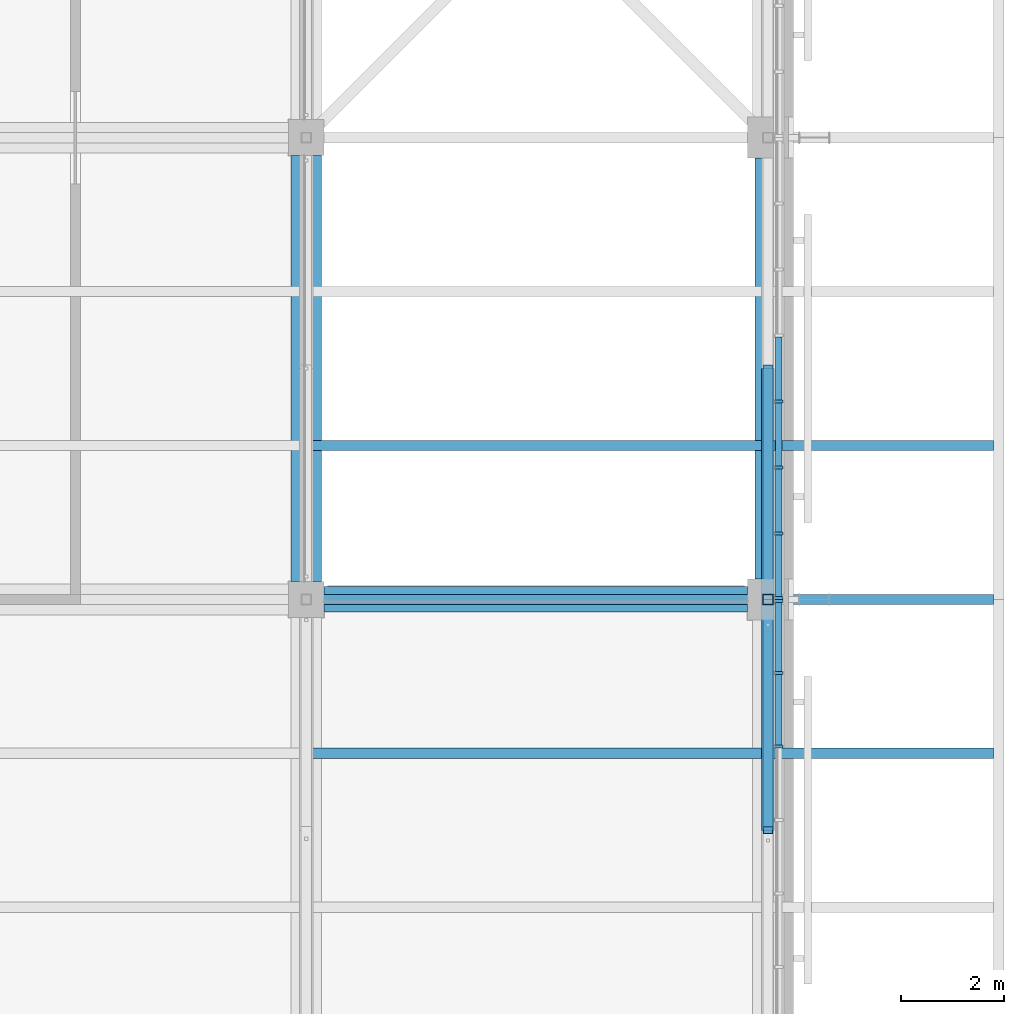
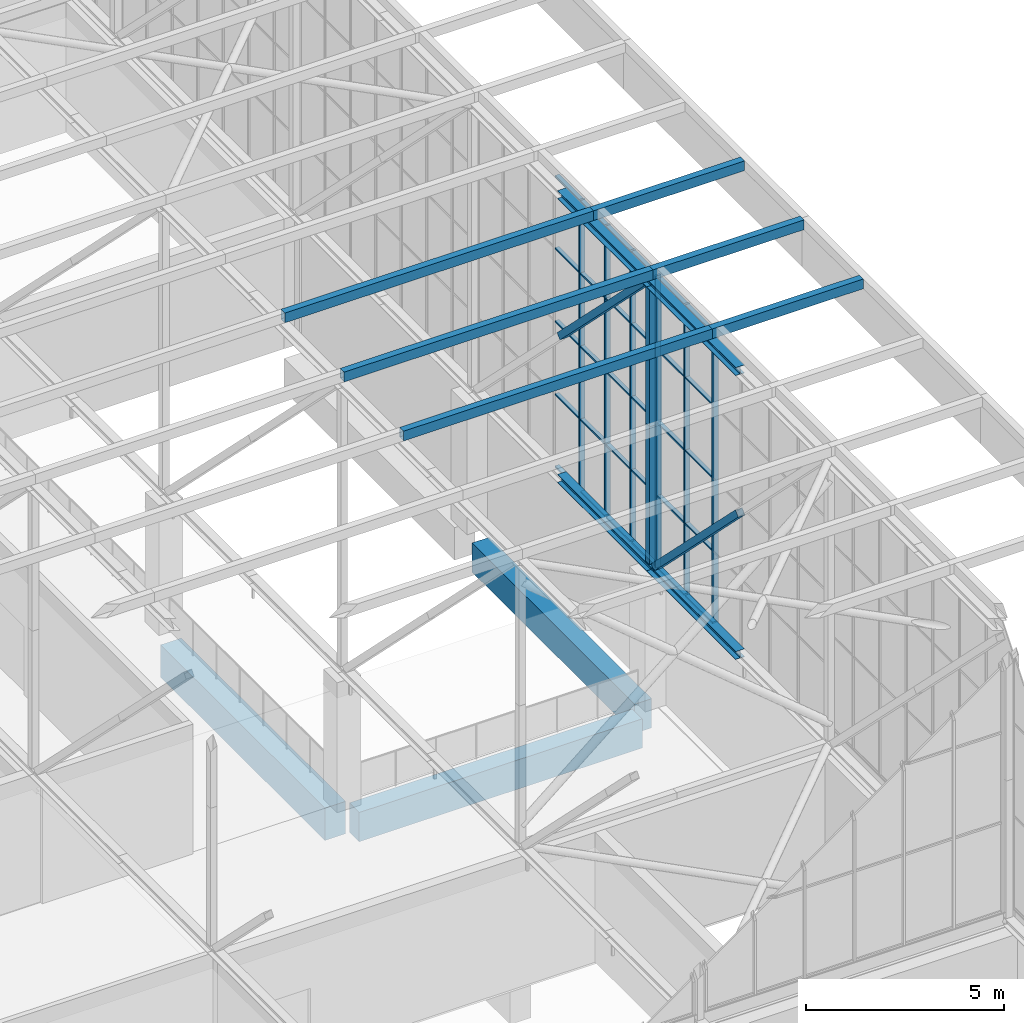
# One storey, part 89 of 646: 51 members, 3 beams, 2 elements without a shape of their own.
"""IFC4 building model written with IfcOpenShell, lengths in metres."""

from ifc_helpers import new_model, si_unit, direction, frame, origin, origin_2d, place, context, subcontext, project, spatial, rectangle, hollow_rectangle, i_section, extrude, material, material_profile, profile_set, type_object, element, aggregate, save


model = new_model("IFC4")

# Units and contexts
model_context = context("Model", 3, precision=1e-05, world=origin(), true_north=direction((0.0, 1.0)))
body_context = subcontext(model_context, "Body", "Model", "MODEL_VIEW")
ifc_project = project(units=[si_unit("LENGTHUNIT", "METRE"), si_unit("AREAUNIT", "SQUARE_METRE"), si_unit("VOLUMEUNIT", "CUBIC_METRE"), si_unit("PLANEANGLEUNIT", "RADIAN"), si_unit("MASSUNIT", "GRAM", prefix="KILO")], contexts=[model_context])

# Site, building, storey
site_placement = place(None, origin())
site = spatial("IfcSite", under=ifc_project, at=site_placement, CompositionType="ELEMENT")
building_placement = place(site_placement, origin())
building = spatial("IfcBuilding", under=site, at=building_placement, Name="Silverbay Arena", CompositionType="ELEMENT")
storey_placement = place(building_placement, frame((0.0, 0.0, 33.5)))
storey = spatial("IfcBuildingStorey", under=building, at=storey_placement, Name="L05", CompositionType="ELEMENT", Elevation=33.5)

# Curtain wall, members
ifc_material_1 = material(Name="Aluminium framed glazing", Category="aluminium")
curtain_wall_type_1 = type_object("IfcCurtainWallType", Name="Curtain wall clerestory 8600 x 9000", PredefinedType="NOTDEFINED", material=ifc_material_1)
curtain_wall_1_placement = place(storey_placement, origin())
curtain_wall_1 = element("IfcCurtainWall", 1, at=curtain_wall_1_placement, inside=storey, type_object=curtain_wall_type_1, Name="ROOF GABLE CLERESTORY CURTAIN WALL east bay 03", PredefinedType="NOTDEFINED")
ifc_material_2 = material(Name="Aluminium", Category="aluminium")
ifc_material_profile_1 = material_profile(ifc_material_2, rectangle(XDim=0.159912109375, YDim=0.06005859375, at=origin_2d()), Name="Mullion 60 x 160")
ifc_profile_set_1 = profile_set([ifc_material_profile_1], Name="Aluminium")
member_type_1 = type_object("IfcMemberType", Name="Mullion 60 x 160", PredefinedType="MULLION", material=ifc_profile_set_1)
member_1_placement = place(storey_placement, frame((207.2099609375, 33.13330078125, 4.0), z_axis=(0.0, 0.0, 1.0), x_axis=(-1.0, 0.0, 0.0)))
member_1 = element("IfcMember", 2, at=member_1_placement, type_object=member_type_1, Name="CW59 mullion 5", PredefinedType="MULLION", context=body_context, shape_type="SweptSolid", body=[
    extrude(rectangle(XDim=0.159912109375, YDim=0.06005859375, at=origin_2d()), origin(), (0.0, 0.0, 1.0), 9.0),
])
member_2_placement = place(storey_placement, frame((207.2099609375, 34.566650390625, 4.0), z_axis=(0.0, 0.0, 1.0), x_axis=(-1.0, 0.0, 0.0)))
member_2 = element("IfcMember", 3, at=member_2_placement, type_object=member_type_1, Name="CW59 mullion 6", PredefinedType="MULLION", context=body_context, shape_type="SweptSolid", body=[
    extrude(rectangle(XDim=0.159912109375, YDim=0.06005859375, at=origin_2d()), origin(), (0.0, 0.0, 1.0), 9.0),
])
member_3_placement = place(storey_placement, frame((207.2099609375, 35.969970703125, 4.0), z_axis=(0.0, 0.0, 1.0), x_axis=(-1.0, 0.0, 0.0)))
member_3 = element("IfcMember", 4, at=member_3_placement, type_object=member_type_1, Name="CW59 mullion 7", PredefinedType="MULLION", context=body_context, shape_type="SweptSolid", body=[
    extrude(rectangle(XDim=0.159912109375, YDim=0.06005859375, at=origin_2d()), origin(), (0.0, 0.0, 1.0), 9.0),
])

ifc_material_3 = material(Name="Aluminium framed glazing", Category="aluminium")
curtain_wall_type_2 = type_object("IfcCurtainWallType", Name="Curtain wall clerestory 9000 x 9000", PredefinedType="NOTDEFINED", material=ifc_material_3)
curtain_wall_2_placement = place(storey_placement, origin())
curtain_wall_2 = element("IfcCurtainWall", 5, at=curtain_wall_2_placement, inside=storey, type_object=curtain_wall_type_2, Name="ROOF GABLE CLERESTORY CURTAIN WALL east bay 04", PredefinedType="NOTDEFINED")
member_4_placement = place(storey_placement, frame((207.2099609375, 36.030029296875, 4.0), z_axis=(0.0, 0.0, 1.0), x_axis=(-1.0, 0.0, 0.0)))
member_4 = element("IfcMember", 6, at=member_4_placement, type_object=member_type_1, Name="CW60 mullion 1", PredefinedType="MULLION", context=body_context, shape_type="SweptSolid", body=[
    extrude(rectangle(XDim=0.159912109375, YDim=0.06005859375, at=origin_2d()), origin(), (0.0, 0.0, 1.0), 9.0),
])
member_5_placement = place(storey_placement, frame((207.2099609375, 37.28564453125, 4.0), z_axis=(0.0, 0.0, 1.0), x_axis=(-1.0, 0.0, 0.0)))
member_5 = element("IfcMember", 7, at=member_5_placement, type_object=member_type_1, Name="CW60 mullion 2", PredefinedType="MULLION", context=body_context, shape_type="SweptSolid", body=[
    extrude(rectangle(XDim=0.159912109375, YDim=0.06005859375, at=origin_2d()), origin(), (0.0, 0.0, 1.0), 9.0),
])
member_6_placement = place(storey_placement, frame((207.2099609375, 38.571533203125, 4.0), z_axis=(0.0, 0.0, 1.0), x_axis=(-1.0, 0.0, 0.0)))
member_6 = element("IfcMember", 8, at=member_6_placement, type_object=member_type_1, Name="CW60 mullion 3", PredefinedType="MULLION", context=body_context, shape_type="SweptSolid", body=[
    extrude(rectangle(XDim=0.159912109375, YDim=0.06005859375, at=origin_2d()), origin(), (0.0, 0.0, 1.0), 9.0),
])
member_7_placement = place(storey_placement, frame((207.2099609375, 39.857177734375, 4.0), z_axis=(0.0, 0.0, 1.0), x_axis=(-1.0, 0.0, 0.0)))
member_7 = element("IfcMember", 9, at=member_7_placement, type_object=member_type_1, Name="CW60 mullion 4", PredefinedType="MULLION", context=body_context, shape_type="SweptSolid", body=[
    extrude(rectangle(XDim=0.159912109375, YDim=0.06005859375, at=origin_2d()), origin(), (0.0, 0.0, 1.0), 9.0),
])

# Members
ifc_material_4 = material(Name="Steel S355", Category="steel")
ifc_material_profile_2 = material_profile(ifc_material_4, hollow_rectangle(XDim=0.199951171875, YDim=0.300048828125, WallThickness=0.008056640625, at=origin_2d()), Name="RHS 300x200x8")
ifc_profile_set_2 = profile_set([ifc_material_profile_2], Name="Steel S355")
member_type_2 = type_object("IfcMemberType", Name="Purlin RHS 300x200x8", PredefinedType="PURLIN", material=ifc_profile_set_2)
for number, where, z_axis, x_axis, name in (
    (10, (198.0, 33.0, 13.14990234375), (1.0, 0.0, 0.0), (0.0, 1.0, 0.0), "ROOF PURLIN 23-24 line 09"),
    (11, (198.0, 36.0, 13.14990234375), (1.0, 0.0, 0.0), (0.0, 1.0, 0.0), "ROOF PURLIN 23-24 line 10"),
    (12, (198.0, 39.0, 13.14990234375), (1.0, 0.0, 0.0), (0.0, 1.0, 0.0), "ROOF PURLIN 23-24 line 11"),
):
    element("IfcMember", number, at=place(storey_placement, frame(where, z_axis=z_axis, x_axis=x_axis)), inside=storey, type_object=member_type_2, Name=name, PredefinedType="PURLIN", context=body_context, shape_type="SweptSolid", body=[
        extrude(hollow_rectangle(XDim=0.199951171875, YDim=0.300048828125, WallThickness=0.008056640625, at=origin_2d()), origin(), (0.0, 0.0, 1.0), 9.0),
    ])
for number, where, z_axis, x_axis, name in (
    (13, (211.39990234375, 33.0, 13.14990234375), (-1.0, 0.0, 0.0), (0.0, -1.0, 0.0), "ROOF PURLIN east eave line 09"),
    (14, (211.39990234375, 36.0, 13.14990234375), (-1.0, 0.0, 0.0), (0.0, -1.0, 0.0), "ROOF PURLIN east eave line 10"),
    (15, (211.39990234375, 39.0, 13.14990234375), (-1.0, 0.0, 0.0), (0.0, -1.0, 0.0), "ROOF PURLIN east eave line 11"),
):
    element("IfcMember", number, at=place(storey_placement, frame(where, z_axis=z_axis, x_axis=x_axis)), inside=storey, type_object=member_type_2, Name=name, PredefinedType="PURLIN", context=body_context, shape_type="SweptSolid", body=[
        extrude(hollow_rectangle(XDim=0.199951171875, YDim=0.300048828125, WallThickness=0.008056640625, at=origin_2d()), origin(), (0.0, 0.0, 1.0), 4.39990234375),
    ])

# Beams
ifc_material_5 = material(Name="Concrete Grade C45", Category="concrete")
ifc_material_profile_3 = material_profile(ifc_material_5, rectangle(XDim=0.5, YDim=0.89990234375, at=origin_2d()), Name="RC 500x900")
ifc_profile_set_3 = profile_set([ifc_material_profile_3], Name="Concrete Grade C45")
beam_type_1 = type_object("IfcBeamType", Name="RC beam 500x900", PredefinedType="BEAM", material=ifc_profile_set_3)
beam_1_placement = place(storey_placement, frame((198.35009765625, 36.0, -0.75), z_axis=(1.0, 0.0, 0.0), x_axis=(0.0, 1.0, 0.0)))
element("IfcBeam", 16, at=beam_1_placement, inside=storey, type_object=beam_type_1, Name="Floor beam L05 014", PredefinedType="BEAM", context=body_context, shape_type="SweptSolid", body=[
    extrude(rectangle(XDim=0.5, YDim=0.89990234375, at=origin_2d()), origin(), (0.0, 0.0, 1.0), 8.25),
])
beam_2_placement = place(storey_placement, frame((207.0, 36.39990234375, -0.75), z_axis=(0.0, 1.0, 0.0), x_axis=(-1.0, 0.0, 0.0)))
element("IfcBeam", 17, at=beam_2_placement, inside=storey, type_object=beam_type_1, Name="Floor beam L05 148", PredefinedType="BEAM", context=body_context, shape_type="SweptSolid", body=[
    extrude(rectangle(XDim=0.5, YDim=0.89990234375, at=origin_2d()), origin(), (0.0, 0.0, 1.0), 8.2001953125),
])
ifc_material_6 = material(Name="Concrete Grade C45", Category="concrete")
ifc_material_profile_4 = material_profile(ifc_material_6, rectangle(XDim=0.60009765625, YDim=1.0, at=origin_2d()), Name="RC 600x1000")
ifc_profile_set_4 = profile_set([ifc_material_profile_4], Name="Concrete Grade C45")
beam_type_2 = type_object("IfcBeamType", Name="RC beam 600x1000", PredefinedType="BEAM", material=ifc_profile_set_4)
beam_3_placement = place(storey_placement, frame((198.0, 36.35009765625, -0.800048828125), z_axis=(0.0, 1.0, 0.0), x_axis=(-1.0, 0.0, 0.0)))
element("IfcBeam", 18, at=beam_3_placement, inside=storey, type_object=beam_type_2, Name="Floor beam L05 140", PredefinedType="BEAM", context=body_context, shape_type="SweptSolid", body=[
    extrude(rectangle(XDim=0.60009765625, YDim=1.0, at=origin_2d()), origin(), (0.0, 0.0, 1.0), 8.2998046875),
])

# Members
ifc_material_7 = material(Name="Steel S355", Category="steel")
ifc_material_profile_5 = material_profile(ifc_material_7, i_section(OverallWidth=0.254638671875, OverallDepth=0.254150390625, WebThickness=0.008544921875, FlangeThickness=0.01416015625, at=origin_2d()), Name="UC 254x254x73")
ifc_profile_set_5 = profile_set([ifc_material_profile_5], Name="Steel S355")
member_type_3 = type_object("IfcMemberType", Name="Short-span bottom chord UC 254x254x73", PredefinedType="CHORD", material=ifc_profile_set_5)
for number, where, z_axis, x_axis, name in (
    (19, (207.0, 31.5, 4.126953125), (0.0, 1.0, 0.0), (-1.0, 0.0, 0.0), "ROOF TRUSS 24 bottom chord 03b"),
    (20, (207.0, 36.0, 4.126953125), (0.0, 1.0, 0.0), (-1.0, 0.0, 0.0), "ROOF TRUSS 24 bottom chord 04a"),
):
    element("IfcMember", number, at=place(storey_placement, frame(where, z_axis=z_axis, x_axis=x_axis)), inside=storey, type_object=member_type_3, Name=name, PredefinedType="CHORD", context=body_context, shape_type="SweptSolid", body=[
        extrude(i_section(OverallWidth=0.254638671875, OverallDepth=0.254150390625, WebThickness=0.008544921875, FlangeThickness=0.01416015625, at=origin_2d()), origin(), (0.0, 0.0, 1.0), 4.5),
    ])
ifc_material_8 = material(Name="Steel S355", Category="steel")
ifc_material_profile_6 = material_profile(ifc_material_8, i_section(OverallWidth=0.254638671875, OverallDepth=0.254150390625, WebThickness=0.008544921875, FlangeThickness=0.01416015625, at=origin_2d()), Name="UC 254x254x73")
ifc_profile_set_6 = profile_set([ifc_material_profile_6], Name="Steel S355")
member_type_4 = type_object("IfcMemberType", Name="Short-span top chord UC 254x254x73", PredefinedType="CHORD", material=ifc_profile_set_6)
for number, where, z_axis, x_axis, name in (
    (21, (207.0, 31.5, 12.873046875), (0.0, 1.0, 0.0), (-1.0, 0.0, 0.0), "ROOF TRUSS 24 top chord 03b"),
    (22, (207.0, 36.0, 12.873046875), (0.0, 1.0, 0.0), (-1.0, 0.0, 0.0), "ROOF TRUSS 24 top chord 04a"),
):
    element("IfcMember", number, at=place(storey_placement, frame(where, z_axis=z_axis, x_axis=x_axis)), inside=storey, type_object=member_type_4, Name=name, PredefinedType="CHORD", context=body_context, shape_type="SweptSolid", body=[
        extrude(i_section(OverallWidth=0.254638671875, OverallDepth=0.254150390625, WebThickness=0.008544921875, FlangeThickness=0.01416015625, at=origin_2d()), origin(), (0.0, 0.0, 1.0), 4.5),
    ])
ifc_material_9 = material(Name="Steel S355", Category="steel")
ifc_material_profile_7 = material_profile(ifc_material_9, hollow_rectangle(XDim=0.199951171875, YDim=0.199951171875, WallThickness=0.008056640625, at=origin_2d()), Name="SHS 200x200x8")
ifc_profile_set_7 = profile_set([ifc_material_profile_7], Name="Steel S355")
member_type_5 = type_object("IfcMemberType", Name="Short-span truss diagonal SHS 200x200x8", PredefinedType="BRACE", material=ifc_profile_set_7)
for number, where, z_axis, x_axis, name in (
    (23, (207.0, 31.5, 8.5), (0.0, 0.70781724692, -0.706395600894), (-1.0, 0.0, 0.0), "ROOF TRUSS 24 diagonal 03b"),
    (24, (207.0, 36.24560546875, 12.745849609375), (0.0, 0.70781724692, -0.706395600894), (-1.0, 0.0, 0.0), "ROOF TRUSS 24 diagonal 04a"),
):
    element("IfcMember", number, at=place(storey_placement, frame(where, z_axis=z_axis, x_axis=x_axis)), inside=storey, type_object=member_type_5, Name=name, PredefinedType="BRACE", context=body_context, shape_type="SweptSolid", body=[
        extrude(hollow_rectangle(XDim=0.199951171875, YDim=0.199951171875, WallThickness=0.008056640625, at=origin_2d()), origin(), (0.0, 0.0, 1.0), 6.010498046875),
    ])
ifc_material_10 = material(Name="Steel S355", Category="steel")
ifc_material_profile_8 = material_profile(ifc_material_10, hollow_rectangle(XDim=0.199951171875, YDim=0.199951171875, WallThickness=0.008056640625, at=origin_2d()), Name="SHS 200x200x8")
ifc_profile_set_8 = profile_set([ifc_material_profile_8], Name="Steel S355")
member_type_6 = type_object("IfcMemberType", Name="Short-span truss vertical SHS 200x200x8", PredefinedType="STRUT", material=ifc_profile_set_8)
for number, where, z_axis, x_axis, name in (
    (25, (207.0, 36.0, 4.254150390625), (0.0, 0.0, 1.0), (1.0, 0.0, 0.0), "ROOF TRUSS 24 vertical 04a"),
    (26, (207.0, 36.0, 8.5), (0.0, 0.0, 1.0), (1.0, 0.0, 0.0), "ROOF TRUSS 24 vertical 04b"),
):
    element("IfcMember", number, at=place(storey_placement, frame(where, z_axis=z_axis, x_axis=x_axis)), inside=storey, type_object=member_type_6, Name=name, PredefinedType="STRUT", context=body_context, shape_type="SweptSolid", body=[
        extrude(hollow_rectangle(XDim=0.199951171875, YDim=0.199951171875, WallThickness=0.008056640625, at=origin_2d()), origin(), (0.0, 0.0, 1.0), 4.245849609375),
    ])

# Member
ifc_material_11 = material(Name="Aluminium", Category="aluminium")
ifc_material_profile_9 = material_profile(ifc_material_11, rectangle(XDim=0.1201171875, YDim=0.050048828125, at=origin_2d()), Name="Transom 50 x 120")
ifc_profile_set_9 = profile_set([ifc_material_profile_9], Name="Aluminium")
member_type_7 = type_object("IfcMemberType", Name="Transom 50 x 120", PredefinedType="USERDEFINED", material=ifc_profile_set_9)
member_8_placement = place(storey_placement, frame((207.2099609375, 33.163330078125, 4.02490234375), z_axis=(0.0, 1.0, 0.0), x_axis=(-1.0, 0.0, 0.0)))
member_8 = element("IfcMember", 27, at=member_8_placement, type_object=member_type_7, Name="CW59 transom 5.1", ObjectType="TRANSOM", PredefinedType="USERDEFINED", context=body_context, shape_type="SweptSolid", body=[
    extrude(rectangle(XDim=0.1201171875, YDim=0.050048828125, at=origin_2d()), origin(), (0.0, 0.0, 1.0), 1.373291015625),
])

member_9_placement = place(storey_placement, frame((207.2099609375, 33.163330078125, 6.25), z_axis=(0.0, 1.0, 0.0), x_axis=(-1.0, 0.0, 0.0)))
member_9 = element("IfcMember", 28, at=member_9_placement, type_object=member_type_7, Name="CW59 transom 5.2", ObjectType="TRANSOM", PredefinedType="USERDEFINED", context=body_context, shape_type="SweptSolid", body=[
    extrude(rectangle(XDim=0.1201171875, YDim=0.050048828125, at=origin_2d()), origin(), (0.0, 0.0, 1.0), 1.373291015625),
])

member_10_placement = place(storey_placement, frame((207.2099609375, 33.163330078125, 8.5), z_axis=(0.0, 1.0, 0.0), x_axis=(-1.0, 0.0, 0.0)))
member_10 = element("IfcMember", 29, at=member_10_placement, type_object=member_type_7, Name="CW59 transom 5.3", ObjectType="TRANSOM", PredefinedType="USERDEFINED", context=body_context, shape_type="SweptSolid", body=[
    extrude(rectangle(XDim=0.1201171875, YDim=0.050048828125, at=origin_2d()), origin(), (0.0, 0.0, 1.0), 1.373291015625),
])

member_11_placement = place(storey_placement, frame((207.2099609375, 33.163330078125, 10.75), z_axis=(0.0, 1.0, 0.0), x_axis=(-1.0, 0.0, 0.0)))
member_11 = element("IfcMember", 30, at=member_11_placement, type_object=member_type_7, Name="CW59 transom 5.4", ObjectType="TRANSOM", PredefinedType="USERDEFINED", context=body_context, shape_type="SweptSolid", body=[
    extrude(rectangle(XDim=0.1201171875, YDim=0.050048828125, at=origin_2d()), origin(), (0.0, 0.0, 1.0), 1.373291015625),
])

member_12_placement = place(storey_placement, frame((207.2099609375, 33.163330078125, 12.97509765625), z_axis=(0.0, 1.0, 0.0), x_axis=(-1.0, 0.0, 0.0)))
member_12 = element("IfcMember", 31, at=member_12_placement, type_object=member_type_7, Name="CW59 transom 5.5", ObjectType="TRANSOM", PredefinedType="USERDEFINED", context=body_context, shape_type="SweptSolid", body=[
    extrude(rectangle(XDim=0.1201171875, YDim=0.050048828125, at=origin_2d()), origin(), (0.0, 0.0, 1.0), 1.373291015625),
])

member_13_placement = place(storey_placement, frame((207.2099609375, 34.5966796875, 4.02490234375), z_axis=(0.0, 1.0, 0.0), x_axis=(-1.0, 0.0, 0.0)))
member_13 = element("IfcMember", 32, at=member_13_placement, type_object=member_type_7, Name="CW59 transom 6.1", ObjectType="TRANSOM", PredefinedType="USERDEFINED", context=body_context, shape_type="SweptSolid", body=[
    extrude(rectangle(XDim=0.1201171875, YDim=0.050048828125, at=origin_2d()), origin(), (0.0, 0.0, 1.0), 1.34326171875),
])

member_14_placement = place(storey_placement, frame((207.2099609375, 34.5966796875, 6.25), z_axis=(0.0, 1.0, 0.0), x_axis=(-1.0, 0.0, 0.0)))
member_14 = element("IfcMember", 33, at=member_14_placement, type_object=member_type_7, Name="CW59 transom 6.2", ObjectType="TRANSOM", PredefinedType="USERDEFINED", context=body_context, shape_type="SweptSolid", body=[
    extrude(rectangle(XDim=0.1201171875, YDim=0.050048828125, at=origin_2d()), origin(), (0.0, 0.0, 1.0), 1.34326171875),
])

member_15_placement = place(storey_placement, frame((207.2099609375, 34.5966796875, 8.5), z_axis=(0.0, 1.0, 0.0), x_axis=(-1.0, 0.0, 0.0)))
member_15 = element("IfcMember", 34, at=member_15_placement, type_object=member_type_7, Name="CW59 transom 6.3", ObjectType="TRANSOM", PredefinedType="USERDEFINED", context=body_context, shape_type="SweptSolid", body=[
    extrude(rectangle(XDim=0.1201171875, YDim=0.050048828125, at=origin_2d()), origin(), (0.0, 0.0, 1.0), 1.34326171875),
])

member_16_placement = place(storey_placement, frame((207.2099609375, 34.5966796875, 10.75), z_axis=(0.0, 1.0, 0.0), x_axis=(-1.0, 0.0, 0.0)))
member_16 = element("IfcMember", 35, at=member_16_placement, type_object=member_type_7, Name="CW59 transom 6.4", ObjectType="TRANSOM", PredefinedType="USERDEFINED", context=body_context, shape_type="SweptSolid", body=[
    extrude(rectangle(XDim=0.1201171875, YDim=0.050048828125, at=origin_2d()), origin(), (0.0, 0.0, 1.0), 1.34326171875),
])

member_17_placement = place(storey_placement, frame((207.2099609375, 34.5966796875, 12.97509765625), z_axis=(0.0, 1.0, 0.0), x_axis=(-1.0, 0.0, 0.0)))
member_17 = element("IfcMember", 36, at=member_17_placement, type_object=member_type_7, Name="CW59 transom 6.5", ObjectType="TRANSOM", PredefinedType="USERDEFINED", context=body_context, shape_type="SweptSolid", body=[
    extrude(rectangle(XDim=0.1201171875, YDim=0.050048828125, at=origin_2d()), origin(), (0.0, 0.0, 1.0), 1.34326171875),
])

aggregate(curtain_wall_1, [member_1, member_2, member_3, member_8, member_9, member_10, member_11, member_12, member_13, member_14, member_15, member_16, member_17])

member_18_placement = place(storey_placement, frame((207.2099609375, 36.06005859375, 4.02490234375), z_axis=(0.0, 1.0, 0.0), x_axis=(-1.0, 0.0, 0.0)))
member_18 = element("IfcMember", 37, at=member_18_placement, type_object=member_type_7, Name="CW60 transom 1.1", ObjectType="TRANSOM", PredefinedType="USERDEFINED", context=body_context, shape_type="SweptSolid", body=[
    extrude(rectangle(XDim=0.1201171875, YDim=0.050048828125, at=origin_2d()), origin(), (0.0, 0.0, 1.0), 1.195556640625),
])

member_19_placement = place(storey_placement, frame((207.2099609375, 36.06005859375, 6.25), z_axis=(0.0, 1.0, 0.0), x_axis=(-1.0, 0.0, 0.0)))
member_19 = element("IfcMember", 38, at=member_19_placement, type_object=member_type_7, Name="CW60 transom 1.2", ObjectType="TRANSOM", PredefinedType="USERDEFINED", context=body_context, shape_type="SweptSolid", body=[
    extrude(rectangle(XDim=0.1201171875, YDim=0.050048828125, at=origin_2d()), origin(), (0.0, 0.0, 1.0), 1.195556640625),
])

member_20_placement = place(storey_placement, frame((207.2099609375, 36.06005859375, 8.5), z_axis=(0.0, 1.0, 0.0), x_axis=(-1.0, 0.0, 0.0)))
member_20 = element("IfcMember", 39, at=member_20_placement, type_object=member_type_7, Name="CW60 transom 1.3", ObjectType="TRANSOM", PredefinedType="USERDEFINED", context=body_context, shape_type="SweptSolid", body=[
    extrude(rectangle(XDim=0.1201171875, YDim=0.050048828125, at=origin_2d()), origin(), (0.0, 0.0, 1.0), 1.195556640625),
])

member_21_placement = place(storey_placement, frame((207.2099609375, 36.06005859375, 10.75), z_axis=(0.0, 1.0, 0.0), x_axis=(-1.0, 0.0, 0.0)))
member_21 = element("IfcMember", 40, at=member_21_placement, type_object=member_type_7, Name="CW60 transom 1.4", ObjectType="TRANSOM", PredefinedType="USERDEFINED", context=body_context, shape_type="SweptSolid", body=[
    extrude(rectangle(XDim=0.1201171875, YDim=0.050048828125, at=origin_2d()), origin(), (0.0, 0.0, 1.0), 1.195556640625),
])

member_22_placement = place(storey_placement, frame((207.2099609375, 36.06005859375, 12.97509765625), z_axis=(0.0, 1.0, 0.0), x_axis=(-1.0, 0.0, 0.0)))
member_22 = element("IfcMember", 41, at=member_22_placement, type_object=member_type_7, Name="CW60 transom 1.5", ObjectType="TRANSOM", PredefinedType="USERDEFINED", context=body_context, shape_type="SweptSolid", body=[
    extrude(rectangle(XDim=0.1201171875, YDim=0.050048828125, at=origin_2d()), origin(), (0.0, 0.0, 1.0), 1.195556640625),
])

member_23_placement = place(storey_placement, frame((207.2099609375, 37.315673828125, 4.02490234375), z_axis=(0.0, 1.0, 0.0), x_axis=(-1.0, 0.0, 0.0)))
member_23 = element("IfcMember", 42, at=member_23_placement, type_object=member_type_7, Name="CW60 transom 2.1", ObjectType="TRANSOM", PredefinedType="USERDEFINED", context=body_context, shape_type="SweptSolid", body=[
    extrude(rectangle(XDim=0.1201171875, YDim=0.050048828125, at=origin_2d()), origin(), (0.0, 0.0, 1.0), 1.225830078125),
])

member_24_placement = place(storey_placement, frame((207.2099609375, 37.315673828125, 6.25), z_axis=(0.0, 1.0, 0.0), x_axis=(-1.0, 0.0, 0.0)))
member_24 = element("IfcMember", 43, at=member_24_placement, type_object=member_type_7, Name="CW60 transom 2.2", ObjectType="TRANSOM", PredefinedType="USERDEFINED", context=body_context, shape_type="SweptSolid", body=[
    extrude(rectangle(XDim=0.1201171875, YDim=0.050048828125, at=origin_2d()), origin(), (0.0, 0.0, 1.0), 1.225830078125),
])

member_25_placement = place(storey_placement, frame((207.2099609375, 37.315673828125, 8.5), z_axis=(0.0, 1.0, 0.0), x_axis=(-1.0, 0.0, 0.0)))
member_25 = element("IfcMember", 44, at=member_25_placement, type_object=member_type_7, Name="CW60 transom 2.3", ObjectType="TRANSOM", PredefinedType="USERDEFINED", context=body_context, shape_type="SweptSolid", body=[
    extrude(rectangle(XDim=0.1201171875, YDim=0.050048828125, at=origin_2d()), origin(), (0.0, 0.0, 1.0), 1.225830078125),
])

member_26_placement = place(storey_placement, frame((207.2099609375, 37.315673828125, 10.75), z_axis=(0.0, 1.0, 0.0), x_axis=(-1.0, 0.0, 0.0)))
member_26 = element("IfcMember", 45, at=member_26_placement, type_object=member_type_7, Name="CW60 transom 2.4", ObjectType="TRANSOM", PredefinedType="USERDEFINED", context=body_context, shape_type="SweptSolid", body=[
    extrude(rectangle(XDim=0.1201171875, YDim=0.050048828125, at=origin_2d()), origin(), (0.0, 0.0, 1.0), 1.225830078125),
])

member_27_placement = place(storey_placement, frame((207.2099609375, 37.315673828125, 12.97509765625), z_axis=(0.0, 1.0, 0.0), x_axis=(-1.0, 0.0, 0.0)))
member_27 = element("IfcMember", 46, at=member_27_placement, type_object=member_type_7, Name="CW60 transom 2.5", ObjectType="TRANSOM", PredefinedType="USERDEFINED", context=body_context, shape_type="SweptSolid", body=[
    extrude(rectangle(XDim=0.1201171875, YDim=0.050048828125, at=origin_2d()), origin(), (0.0, 0.0, 1.0), 1.225830078125),
])

member_28_placement = place(storey_placement, frame((207.2099609375, 38.601318359375, 4.02490234375), z_axis=(0.0, 1.0, 0.0), x_axis=(-1.0, 0.0, 0.0)))
member_28 = element("IfcMember", 47, at=member_28_placement, type_object=member_type_7, Name="CW60 transom 3.1", ObjectType="TRANSOM", PredefinedType="USERDEFINED", context=body_context, shape_type="SweptSolid", body=[
    extrude(rectangle(XDim=0.1201171875, YDim=0.050048828125, at=origin_2d()), origin(), (0.0, 0.0, 1.0), 1.225830078125),
])

member_29_placement = place(storey_placement, frame((207.2099609375, 38.601318359375, 6.25), z_axis=(0.0, 1.0, 0.0), x_axis=(-1.0, 0.0, 0.0)))
member_29 = element("IfcMember", 48, at=member_29_placement, type_object=member_type_7, Name="CW60 transom 3.2", ObjectType="TRANSOM", PredefinedType="USERDEFINED", context=body_context, shape_type="SweptSolid", body=[
    extrude(rectangle(XDim=0.1201171875, YDim=0.050048828125, at=origin_2d()), origin(), (0.0, 0.0, 1.0), 1.225830078125),
])

member_30_placement = place(storey_placement, frame((207.2099609375, 38.601318359375, 8.5), z_axis=(0.0, 1.0, 0.0), x_axis=(-1.0, 0.0, 0.0)))
member_30 = element("IfcMember", 49, at=member_30_placement, type_object=member_type_7, Name="CW60 transom 3.3", ObjectType="TRANSOM", PredefinedType="USERDEFINED", context=body_context, shape_type="SweptSolid", body=[
    extrude(rectangle(XDim=0.1201171875, YDim=0.050048828125, at=origin_2d()), origin(), (0.0, 0.0, 1.0), 1.225830078125),
])

member_31_placement = place(storey_placement, frame((207.2099609375, 38.601318359375, 10.75), z_axis=(0.0, 1.0, 0.0), x_axis=(-1.0, 0.0, 0.0)))
member_31 = element("IfcMember", 50, at=member_31_placement, type_object=member_type_7, Name="CW60 transom 3.4", ObjectType="TRANSOM", PredefinedType="USERDEFINED", context=body_context, shape_type="SweptSolid", body=[
    extrude(rectangle(XDim=0.1201171875, YDim=0.050048828125, at=origin_2d()), origin(), (0.0, 0.0, 1.0), 1.225830078125),
])

member_32_placement = place(storey_placement, frame((207.2099609375, 38.601318359375, 12.97509765625), z_axis=(0.0, 1.0, 0.0), x_axis=(-1.0, 0.0, 0.0)))
member_32 = element("IfcMember", 51, at=member_32_placement, type_object=member_type_7, Name="CW60 transom 3.5", ObjectType="TRANSOM", PredefinedType="USERDEFINED", context=body_context, shape_type="SweptSolid", body=[
    extrude(rectangle(XDim=0.1201171875, YDim=0.050048828125, at=origin_2d()), origin(), (0.0, 0.0, 1.0), 1.225830078125),
])

member_33_placement = place(storey_placement, frame((207.2099609375, 39.88720703125, 4.02490234375), z_axis=(0.0, 1.0, 0.0), x_axis=(-1.0, 0.0, 0.0)))
member_33 = element("IfcMember", 52, at=member_33_placement, type_object=member_type_7, Name="CW60 transom 4.1", ObjectType="TRANSOM", PredefinedType="USERDEFINED", context=body_context, shape_type="SweptSolid", body=[
    extrude(rectangle(XDim=0.1201171875, YDim=0.050048828125, at=origin_2d()), origin(), (0.0, 0.0, 1.0), 1.2255859375),
])

member_34_placement = place(storey_placement, frame((207.2099609375, 39.88720703125, 6.25), z_axis=(0.0, 1.0, 0.0), x_axis=(-1.0, 0.0, 0.0)))
member_34 = element("IfcMember", 53, at=member_34_placement, type_object=member_type_7, Name="CW60 transom 4.2", ObjectType="TRANSOM", PredefinedType="USERDEFINED", context=body_context, shape_type="SweptSolid", body=[
    extrude(rectangle(XDim=0.1201171875, YDim=0.050048828125, at=origin_2d()), origin(), (0.0, 0.0, 1.0), 1.2255859375),
])

member_35_placement = place(storey_placement, frame((207.2099609375, 39.88720703125, 8.5), z_axis=(0.0, 1.0, 0.0), x_axis=(-1.0, 0.0, 0.0)))
member_35 = element("IfcMember", 54, at=member_35_placement, type_object=member_type_7, Name="CW60 transom 4.3", ObjectType="TRANSOM", PredefinedType="USERDEFINED", context=body_context, shape_type="SweptSolid", body=[
    extrude(rectangle(XDim=0.1201171875, YDim=0.050048828125, at=origin_2d()), origin(), (0.0, 0.0, 1.0), 1.2255859375),
])

member_36_placement = place(storey_placement, frame((207.2099609375, 39.88720703125, 10.75), z_axis=(0.0, 1.0, 0.0), x_axis=(-1.0, 0.0, 0.0)))
member_36 = element("IfcMember", 55, at=member_36_placement, type_object=member_type_7, Name="CW60 transom 4.4", ObjectType="TRANSOM", PredefinedType="USERDEFINED", context=body_context, shape_type="SweptSolid", body=[
    extrude(rectangle(XDim=0.1201171875, YDim=0.050048828125, at=origin_2d()), origin(), (0.0, 0.0, 1.0), 1.2255859375),
])

member_37_placement = place(storey_placement, frame((207.2099609375, 39.88720703125, 12.97509765625), z_axis=(0.0, 1.0, 0.0), x_axis=(-1.0, 0.0, 0.0)))
member_37 = element("IfcMember", 56, at=member_37_placement, type_object=member_type_7, Name="CW60 transom 4.5", ObjectType="TRANSOM", PredefinedType="USERDEFINED", context=body_context, shape_type="SweptSolid", body=[
    extrude(rectangle(XDim=0.1201171875, YDim=0.050048828125, at=origin_2d()), origin(), (0.0, 0.0, 1.0), 1.2255859375),
])

aggregate(curtain_wall_2, [member_4, member_5, member_6, member_7, member_18, member_19, member_20, member_21, member_22, member_23, member_24, member_25, member_26, member_27, member_28, member_29, member_30, member_31, member_32, member_33, member_34, member_35, member_36, member_37])

save(model, "model.ifc")
